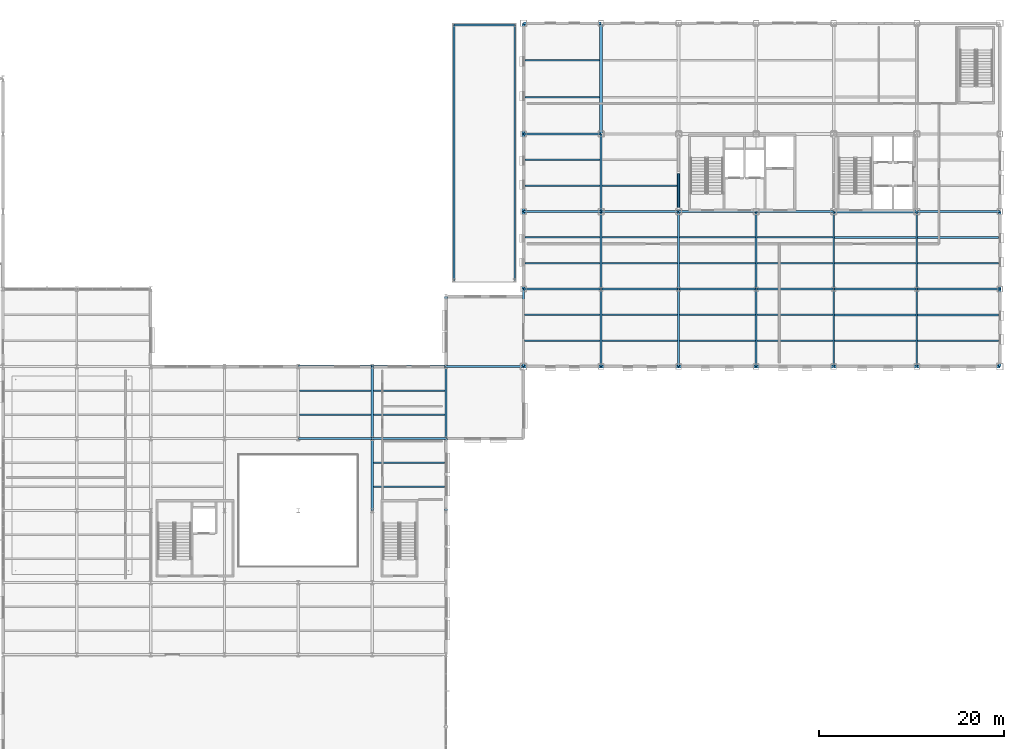
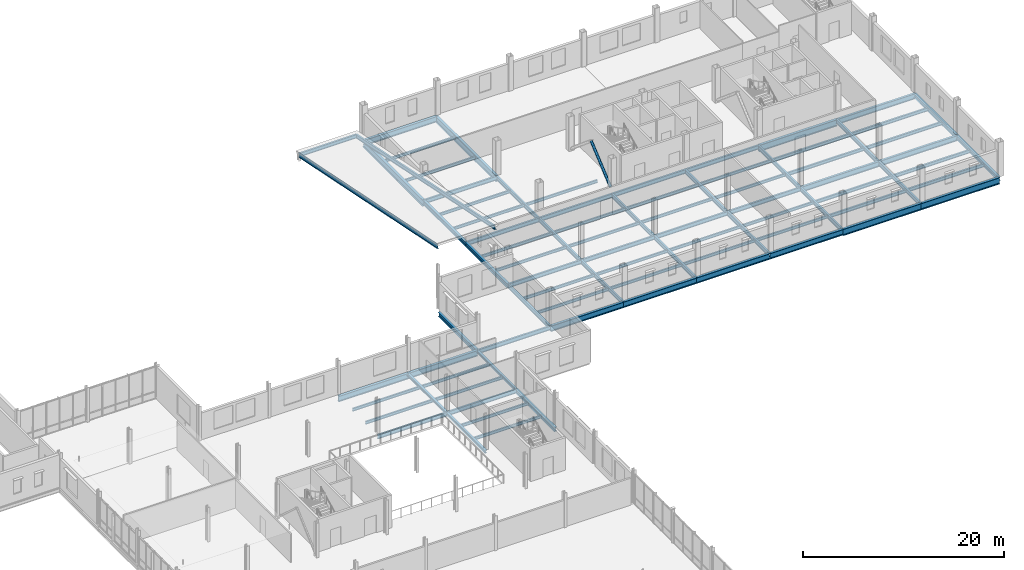
# One storey, part 37 of 75: 86 beams, 1 member.
"""IFC4 building model written with IfcOpenShell, lengths in metres."""

from ifc_helpers import new_model, si_unit, direction, frame, origin, origin_2d, place, context, subcontext, project, spatial, hollow_circle, i_section, extrude, material, material_profile, profile_set, type_object, element, save


model = new_model("IFC4")

# Units and contexts
model_context = context("Model", 3, precision=1e-05, world=origin(), true_north=direction((0.0, 1.0)))
body_context = subcontext(model_context, "Body", "Model", "MODEL_VIEW")
ifc_project = project(units=[si_unit("LENGTHUNIT", "METRE"), si_unit("AREAUNIT", "SQUARE_METRE"), si_unit("VOLUMEUNIT", "CUBIC_METRE"), si_unit("PLANEANGLEUNIT", "RADIAN"), si_unit("MASSUNIT", "GRAM", prefix="KILO")], contexts=[model_context])

# Site, building, storey
site_placement = place(None, origin())
site = spatial("IfcSite", under=ifc_project, at=site_placement, CompositionType="ELEMENT")
building_placement = place(site_placement, origin())
building = spatial("IfcBuilding", under=site, at=building_placement, Name="Yukiwa Park Conservatory and Herbarium", CompositionType="ELEMENT")
storey_placement = place(building_placement, frame((0.0, 0.0, 4.800048828125)))
storey = spatial("IfcBuildingStorey", under=building, at=storey_placement, Name="L01", CompositionType="ELEMENT", Elevation=4.800048828125)

# Beams
ifc_material_1 = material(Name="Steel Q355D", Category="steel")
ifc_material_profile_1 = material_profile(ifc_material_1, i_section(OverallWidth=0.25, OverallDepth=0.340087890625, WebThickness=0.009033203125, FlangeThickness=0.013916015625, FilletRadius=0.02001953125, at=origin_2d()), Name="HM 340x250x9x14")
ifc_profile_set_1 = profile_set([ifc_material_profile_1], Name="Steel Q355D")
beam_type_1 = type_object("IfcBeamType", Name="BM-GRD-HM340", PredefinedType="BEAM", material=ifc_profile_set_1)
beam_1_placement = place(storey_placement, frame((100.0, 62.406005859375, -0.41015625), z_axis=(0.0, 1.0, 0.0), x_axis=(-1.0, 0.0, 0.0)))
element("IfcBeam", 1, at=beam_1_placement, inside=storey, type_object=beam_type_1, Name="L01 grid girder Y-145", PredefinedType="BEAM", context=body_context, shape_type="SweptSolid", body=[
    extrude(i_section(OverallWidth=0.25, OverallDepth=0.340087890625, WebThickness=0.009033203125, FlangeThickness=0.013916015625, FilletRadius=0.02001953125, at=origin_2d()), origin(), (0.0, 0.0, 1.0), 7.7880859375),
])
for number, where, z_axis, x_axis, name in (
    (2, (100.0, 70.2060546875, -0.41015625), (0.0, 1.0, 0.0), (-1.0, 0.0, 0.0), "L01 grid girder Y-146"),
    (3, (108.0, 70.2060546875, -0.41015625), (0.0, 1.0, 0.0), (-1.0, 0.0, 0.0), "L01 grid girder Y-154"),
):
    element("IfcBeam", number, at=place(storey_placement, frame(where, z_axis=z_axis, x_axis=x_axis)), inside=storey, type_object=beam_type_1, Name=name, PredefinedType="BEAM", context=body_context, shape_type="SweptSolid", body=[
        extrude(i_section(OverallWidth=0.25, OverallDepth=0.340087890625, WebThickness=0.009033203125, FlangeThickness=0.013916015625, FilletRadius=0.02001953125, at=origin_2d()), origin(), (0.0, 0.0, 1.0), 7.787841796875),
    ])
ifc_material_2 = material(Name="Steel Q355D", Category="steel")
ifc_material_profile_2 = material_profile(ifc_material_2, i_section(OverallWidth=0.199951171875, OverallDepth=0.449951171875, WebThickness=0.009033203125, FlangeThickness=0.013916015625, FilletRadius=0.01806640625, at=origin_2d()), Name="HN 450x200x9x14")
ifc_profile_set_2 = profile_set([ifc_material_profile_2], Name="Steel Q355D")
beam_type_2 = type_object("IfcBeamType", Name="BM-GRD-HN450-EXT", PredefinedType="BEAM", material=ifc_profile_set_2)
beam_2_placement = place(storey_placement, frame((108.85595703125, 115.0, 0.685546875), z_axis=(1.0, 0.0, 0.0), x_axis=(0.0, 1.0, 0.0)))
element("IfcBeam", 4, at=beam_2_placement, inside=storey, type_object=beam_type_2, Name="Service ramp canopy north eave beam", PredefinedType="BEAM", context=body_context, shape_type="SweptSolid", body=[
    extrude(i_section(OverallWidth=0.199951171875, OverallDepth=0.449951171875, WebThickness=0.009033203125, FlangeThickness=0.013916015625, FilletRadius=0.01806640625, at=origin_2d()), origin(), (0.0, 0.0, 1.0), 6.588134765625),
])
for number, where, z_axis, x_axis, name in (
    (5, (108.85009765625, 87.35595703125, 6.31103515625), (0.0, 0.979907481507, -0.199452570018), (-1.0, 0.0, 0.0), "Service ramp canopy W rafter"),
    (6, (115.449951171875, 87.35595703125, 6.31103515625), (0.0, 0.979907481507, -0.199452570018), (-1.0, 0.0, 0.0), "Service ramp canopy E rafter"),
):
    element("IfcBeam", number, at=place(storey_placement, frame(where, z_axis=z_axis, x_axis=x_axis)), inside=storey, type_object=beam_type_2, Name=name, PredefinedType="BEAM", context=body_context, shape_type="SweptSolid", body=[
        extrude(i_section(OverallWidth=0.199951171875, OverallDepth=0.449951171875, WebThickness=0.009033203125, FlangeThickness=0.013916015625, FilletRadius=0.01806640625, at=origin_2d()), origin(), (0.0, 0.0, 1.0), 28.20458984375),
    ])
ifc_material_3 = material(Name="Steel Q355D", Category="steel")
ifc_material_profile_3 = material_profile(ifc_material_3, i_section(OverallWidth=0.199951171875, OverallDepth=0.5, WebThickness=0.010009765625, FlangeThickness=0.01611328125, FilletRadius=0.02001953125, at=origin_2d()), Name="HN 500x200x10x16")
ifc_profile_set_3 = profile_set([ifc_material_profile_3], Name="Steel Q355D")
beam_type_3 = type_object("IfcBeamType", Name="BM-GRD-HN500", PredefinedType="BEAM", material=ifc_profile_set_3)
for number, where, z_axis, x_axis, name in (
    (7, (92.006103515625, 70.199951171875, -0.489990234375), (1.0, 0.0, 0.0), (0.0, 1.0, 0.0), "L01 grid beam X-50"),
    (8, (100.006103515625, 70.199951171875, -0.489990234375), (1.0, 0.0, 0.0), (0.0, 1.0, 0.0), "L01 grid beam X-51"),
):
    element("IfcBeam", number, at=place(storey_placement, frame(where, z_axis=z_axis, x_axis=x_axis)), inside=storey, type_object=beam_type_3, Name=name, PredefinedType="BEAM", context=body_context, shape_type="SweptSolid", body=[
        extrude(i_section(OverallWidth=0.199951171875, OverallDepth=0.5, WebThickness=0.010009765625, FlangeThickness=0.01611328125, FilletRadius=0.02001953125, at=origin_2d()), origin(), (0.0, 0.0, 1.0), 7.98779296875),
    ])
for number, where, z_axis, x_axis, name in (
    (9, (108.006103515625, 78.0, -0.489990234375), (1.0, 0.0, 0.0), (0.0, 1.0, 0.0), "L01 grid beam X-64"),
    (10, (116.406005859375, 86.39990234375, -0.489990234375), (1.0, 0.0, 0.0), (0.0, 1.0, 0.0), "L01 grid beam X-73"),
):
    element("IfcBeam", number, at=place(storey_placement, frame(where, z_axis=z_axis, x_axis=x_axis)), inside=storey, type_object=beam_type_3, Name=name, PredefinedType="BEAM", context=body_context, shape_type="SweptSolid", body=[
        extrude(i_section(OverallWidth=0.199951171875, OverallDepth=0.5, WebThickness=0.010009765625, FlangeThickness=0.01611328125, FilletRadius=0.02001953125, at=origin_2d()), origin(), (0.0, 0.0, 1.0), 8.387939453125),
    ])
beam_3_placement = place(storey_placement, frame((124.805908203125, 86.39990234375, -0.489990234375), z_axis=(1.0, 0.0, 0.0), x_axis=(0.0, 1.0, 0.0)))
element("IfcBeam", 11, at=beam_3_placement, inside=storey, type_object=beam_type_3, Name="L01 grid beam X-74", PredefinedType="BEAM", context=body_context, shape_type="SweptSolid", body=[
    extrude(i_section(OverallWidth=0.199951171875, OverallDepth=0.5, WebThickness=0.010009765625, FlangeThickness=0.01611328125, FilletRadius=0.02001953125, at=origin_2d()), origin(), (0.0, 0.0, 1.0), 8.38818359375),
])
for number, where, z_axis, x_axis, name in (
    (12, (133.2060546875, 86.39990234375, -0.489990234375), (1.0, 0.0, 0.0), (0.0, 1.0, 0.0), "L01 grid beam X-75"),
    (13, (141.60595703125, 86.39990234375, -0.489990234375), (1.0, 0.0, 0.0), (0.0, 1.0, 0.0), "L01 grid beam X-76"),
    (14, (116.406005859375, 94.800048828125, -0.489990234375), (1.0, 0.0, 0.0), (0.0, 1.0, 0.0), "L01 grid beam X-79"),
):
    element("IfcBeam", number, at=place(storey_placement, frame(where, z_axis=z_axis, x_axis=x_axis)), inside=storey, type_object=beam_type_3, Name=name, PredefinedType="BEAM", context=body_context, shape_type="SweptSolid", body=[
        extrude(i_section(OverallWidth=0.199951171875, OverallDepth=0.5, WebThickness=0.010009765625, FlangeThickness=0.01611328125, FilletRadius=0.02001953125, at=origin_2d()), origin(), (0.0, 0.0, 1.0), 8.387939453125),
    ])
beam_4_placement = place(storey_placement, frame((124.805908203125, 94.800048828125, -0.489990234375), z_axis=(1.0, 0.0, 0.0), x_axis=(0.0, 1.0, 0.0)))
element("IfcBeam", 15, at=beam_4_placement, inside=storey, type_object=beam_type_3, Name="L01 grid beam X-80", PredefinedType="BEAM", context=body_context, shape_type="SweptSolid", body=[
    extrude(i_section(OverallWidth=0.199951171875, OverallDepth=0.5, WebThickness=0.010009765625, FlangeThickness=0.01611328125, FilletRadius=0.02001953125, at=origin_2d()), origin(), (0.0, 0.0, 1.0), 8.38818359375),
])
for number, where, z_axis, x_axis, name in (
    (16, (133.2060546875, 94.800048828125, -0.489990234375), (1.0, 0.0, 0.0), (0.0, 1.0, 0.0), "L01 grid beam X-81"),
    (17, (141.60595703125, 94.800048828125, -0.489990234375), (1.0, 0.0, 0.0), (0.0, 1.0, 0.0), "L01 grid beam X-82"),
    (18, (116.406005859375, 103.199951171875, -0.489990234375), (1.0, 0.0, 0.0), (0.0, 1.0, 0.0), "L01 grid beam X-85"),
    (19, (116.39990234375, 78.006103515625, -0.489990234375), (0.0, 1.0, 0.0), (-1.0, 0.0, 0.0), "L01 grid girder Y-156"),
    (20, (124.800048828125, 78.006103515625, -0.489990234375), (0.0, 1.0, 0.0), (-1.0, 0.0, 0.0), "L01 grid girder Y-160"),
    (21, (124.800048828125, 86.406005859375, -0.489990234375), (0.0, 1.0, 0.0), (-1.0, 0.0, 0.0), "L01 grid girder Y-161"),
):
    element("IfcBeam", number, at=place(storey_placement, frame(where, z_axis=z_axis, x_axis=x_axis)), inside=storey, type_object=beam_type_3, Name=name, PredefinedType="BEAM", context=body_context, shape_type="SweptSolid", body=[
        extrude(i_section(OverallWidth=0.199951171875, OverallDepth=0.5, WebThickness=0.010009765625, FlangeThickness=0.01611328125, FilletRadius=0.02001953125, at=origin_2d()), origin(), (0.0, 0.0, 1.0), 8.387939453125),
    ])
beam_5_placement = place(storey_placement, frame((124.800048828125, 94.805908203125, -0.489990234375), z_axis=(0.0, 1.0, 0.0), x_axis=(-1.0, 0.0, 0.0)))
element("IfcBeam", 22, at=beam_5_placement, inside=storey, type_object=beam_type_3, Name="L01 grid girder Y-162", PredefinedType="BEAM", context=body_context, shape_type="SweptSolid", body=[
    extrude(i_section(OverallWidth=0.199951171875, OverallDepth=0.5, WebThickness=0.010009765625, FlangeThickness=0.01611328125, FilletRadius=0.02001953125, at=origin_2d()), origin(), (0.0, 0.0, 1.0), 8.38818359375),
])
for number, where, z_axis, x_axis, name in (
    (23, (133.199951171875, 78.006103515625, -0.489990234375), (0.0, 1.0, 0.0), (-1.0, 0.0, 0.0), "L01 grid girder Y-164"),
    (24, (133.199951171875, 86.406005859375, -0.489990234375), (0.0, 1.0, 0.0), (-1.0, 0.0, 0.0), "L01 grid girder Y-165"),
    (25, (141.60009765625, 78.006103515625, -0.489990234375), (0.0, 1.0, 0.0), (-1.0, 0.0, 0.0), "L01 grid girder Y-168"),
    (26, (141.60009765625, 86.406005859375, -0.489990234375), (0.0, 1.0, 0.0), (-1.0, 0.0, 0.0), "L01 grid girder Y-169"),
    (27, (150.0, 78.006103515625, -0.489990234375), (0.0, 1.0, 0.0), (-1.0, 0.0, 0.0), "L01 grid girder Y-171"),
    (28, (150.0, 86.406005859375, -0.489990234375), (0.0, 1.0, 0.0), (-1.0, 0.0, 0.0), "L01 grid girder Y-172"),
    (29, (159.0, 78.006103515625, -0.489990234375), (0.0, 1.0, 0.0), (-1.0, 0.0, 0.0), "L01 grid girder Y-175"),
    (30, (159.0, 86.406005859375, -0.489990234375), (0.0, 1.0, 0.0), (-1.0, 0.0, 0.0), "L01 grid girder Y-176"),
):
    element("IfcBeam", number, at=place(storey_placement, frame(where, z_axis=z_axis, x_axis=x_axis)), inside=storey, type_object=beam_type_3, Name=name, PredefinedType="BEAM", context=body_context, shape_type="SweptSolid", body=[
        extrude(i_section(OverallWidth=0.199951171875, OverallDepth=0.5, WebThickness=0.010009765625, FlangeThickness=0.01611328125, FilletRadius=0.02001953125, at=origin_2d()), origin(), (0.0, 0.0, 1.0), 8.387939453125),
    ])
ifc_material_4 = material(Name="Steel Q355D", Category="steel")
ifc_material_profile_4 = material_profile(ifc_material_4, i_section(OverallWidth=0.25, OverallDepth=0.64990234375, WebThickness=0.011962890625, FlangeThickness=0.02001953125, FilletRadius=0.02392578125, at=origin_2d()), Name="HN 650x250x12x20")
ifc_profile_set_4 = profile_set([ifc_material_profile_4], Name="Steel Q355D")
beam_type_4 = type_object("IfcBeamType", Name="BM-GRD-HN650", PredefinedType="BEAM", material=ifc_profile_set_4)
for number, where, z_axis, x_axis, name in (
    (31, (150.006103515625, 86.39990234375, -0.56494140625), (1.0, 0.0, 0.0), (0.0, 1.0, 0.0), "L01 grid beam X-77"),
    (32, (159.006103515625, 86.39990234375, -0.56494140625), (1.0, 0.0, 0.0), (0.0, 1.0, 0.0), "L01 grid beam X-78"),
    (33, (159.006103515625, 94.800048828125, -0.56494140625), (1.0, 0.0, 0.0), (0.0, 1.0, 0.0), "L01 grid beam X-84"),
):
    element("IfcBeam", number, at=place(storey_placement, frame(where, z_axis=z_axis, x_axis=x_axis)), inside=storey, type_object=beam_type_4, Name=name, PredefinedType="BEAM", context=body_context, shape_type="SweptSolid", body=[
        extrude(i_section(OverallWidth=0.25, OverallDepth=0.64990234375, WebThickness=0.011962890625, FlangeThickness=0.02001953125, FilletRadius=0.02392578125, at=origin_2d()), origin(), (0.0, 0.0, 1.0), 8.98779296875),
    ])
ifc_material_5 = material(Name="Steel Q355D", Category="steel")
ifc_material_profile_5 = material_profile(ifc_material_5, i_section(OverallWidth=0.300048828125, OverallDepth=0.75, WebThickness=0.012939453125, FlangeThickness=0.02392578125, FilletRadius=0.028076171875, at=origin_2d()), Name="HN 750x300x13x24")
ifc_profile_set_5 = profile_set([ifc_material_profile_5], Name="Steel Q355D")
beam_type_5 = type_object("IfcBeamType", Name="BM-GRD-HN750", PredefinedType="BEAM", material=ifc_profile_set_5)
beam_6_placement = place(storey_placement, frame((124.800048828125, 103.2060546875, -0.614990234375), z_axis=(0.0, 1.0, 0.0), x_axis=(-1.0, 0.0, 0.0)))
element("IfcBeam", 34, at=beam_6_placement, inside=storey, type_object=beam_type_5, Name="L01 grid girder Y-163", PredefinedType="BEAM", context=body_context, shape_type="SweptSolid", body=[
    extrude(i_section(OverallWidth=0.300048828125, OverallDepth=0.75, WebThickness=0.012939453125, FlangeThickness=0.02392578125, FilletRadius=0.028076171875, at=origin_2d()), origin(), (0.0, 0.0, 1.0), 11.988037109375),
])
ifc_material_6 = material(Name="Steel Q355D", Category="steel")
ifc_material_profile_6 = material_profile(ifc_material_6, i_section(OverallWidth=0.175048828125, OverallDepth=0.35009765625, WebThickness=0.007080078125, FlangeThickness=0.010986328125, FilletRadius=0.013916015625, at=origin_2d()), Name="HN 350x175x7x11")
ifc_profile_set_6 = profile_set([ifc_material_profile_6], Name="Steel Q355D")
beam_type_6 = type_object("IfcBeamType", Name="BM-JST-HN350", PredefinedType="JOIST", material=ifc_profile_set_6)
for number, where, z_axis, x_axis, name in (
    (35, (92.12109375, 72.800048828125, -0.4150390625), (1.0, 0.0, 0.0), (0.0, 1.0, 0.0), "L01 composite floor joist 39"),
    (36, (92.12109375, 75.39990234375, -0.4150390625), (1.0, 0.0, 0.0), (0.0, 1.0, 0.0), "L01 composite floor joist 40"),
):
    element("IfcBeam", number, at=place(storey_placement, frame(where, z_axis=z_axis, x_axis=x_axis)), inside=storey, type_object=beam_type_6, Name=name, PredefinedType="JOIST", context=body_context, shape_type="SweptSolid", body=[
        extrude(i_section(OverallWidth=0.175048828125, OverallDepth=0.35009765625, WebThickness=0.007080078125, FlangeThickness=0.010986328125, FilletRadius=0.013916015625, at=origin_2d()), origin(), (0.0, 0.0, 1.0), 7.7578125),
    ])
for number, where, z_axis, x_axis, name in (
    (37, (100.12109375, 65.0, -0.4150390625), (1.0, 0.0, 0.0), (0.0, 1.0, 0.0), "L01 composite floor joist 43"),
    (38, (100.12109375, 67.60009765625, -0.4150390625), (1.0, 0.0, 0.0), (0.0, 1.0, 0.0), "L01 composite floor joist 44"),
):
    element("IfcBeam", number, at=place(storey_placement, frame(where, z_axis=z_axis, x_axis=x_axis)), inside=storey, type_object=beam_type_6, Name=name, PredefinedType="JOIST", context=body_context, shape_type="SweptSolid", body=[
        extrude(i_section(OverallWidth=0.175048828125, OverallDepth=0.35009765625, WebThickness=0.007080078125, FlangeThickness=0.010986328125, FilletRadius=0.013916015625, at=origin_2d()), origin(), (0.0, 0.0, 1.0), 7.73291015625),
    ])
for number, where, z_axis, x_axis, name in (
    (39, (100.12109375, 72.800048828125, -0.4150390625), (1.0, 0.0, 0.0), (0.0, 1.0, 0.0), "L01 composite floor joist 45"),
    (40, (100.12109375, 75.39990234375, -0.4150390625), (1.0, 0.0, 0.0), (0.0, 1.0, 0.0), "L01 composite floor joist 46"),
):
    element("IfcBeam", number, at=place(storey_placement, frame(where, z_axis=z_axis, x_axis=x_axis)), inside=storey, type_object=beam_type_6, Name=name, PredefinedType="JOIST", context=body_context, shape_type="SweptSolid", body=[
        extrude(i_section(OverallWidth=0.175048828125, OverallDepth=0.35009765625, WebThickness=0.007080078125, FlangeThickness=0.010986328125, FilletRadius=0.013916015625, at=origin_2d()), origin(), (0.0, 0.0, 1.0), 7.7578125),
    ])
for number, where, z_axis, x_axis, name in (
    (41, (116.49609375, 80.800048828125, -0.4150390625), (1.0, 0.0, 0.0), (0.0, 1.0, 0.0), "L01 composite floor joist 47"),
    (42, (116.49609375, 83.60009765625, -0.4150390625), (1.0, 0.0, 0.0), (0.0, 1.0, 0.0), "L01 composite floor joist 48"),
):
    element("IfcBeam", number, at=place(storey_placement, frame(where, z_axis=z_axis, x_axis=x_axis)), inside=storey, type_object=beam_type_6, Name=name, PredefinedType="JOIST", context=body_context, shape_type="SweptSolid", body=[
        extrude(i_section(OverallWidth=0.175048828125, OverallDepth=0.35009765625, WebThickness=0.007080078125, FlangeThickness=0.010986328125, FilletRadius=0.013916015625, at=origin_2d()), origin(), (0.0, 0.0, 1.0), 8.2080078125),
    ])
for number, where, z_axis, x_axis, name in (
    (43, (116.5458984375, 89.199951171875, -0.4150390625), (1.0, 0.0, 0.0), (0.0, 1.0, 0.0), "L01 composite floor joist 49"),
    (44, (116.5458984375, 92.0, -0.4150390625), (1.0, 0.0, 0.0), (0.0, 1.0, 0.0), "L01 composite floor joist 50"),
    (45, (116.5458984375, 97.60009765625, -0.4150390625), (1.0, 0.0, 0.0), (0.0, 1.0, 0.0), "L01 composite floor joist 51"),
    (46, (116.5458984375, 100.39990234375, -0.4150390625), (1.0, 0.0, 0.0), (0.0, 1.0, 0.0), "L01 composite floor joist 52"),
):
    element("IfcBeam", number, at=place(storey_placement, frame(where, z_axis=z_axis, x_axis=x_axis)), inside=storey, type_object=beam_type_6, Name=name, PredefinedType="JOIST", context=body_context, shape_type="SweptSolid", body=[
        extrude(i_section(OverallWidth=0.175048828125, OverallDepth=0.35009765625, WebThickness=0.007080078125, FlangeThickness=0.010986328125, FilletRadius=0.013916015625, at=origin_2d()), origin(), (0.0, 0.0, 1.0), 8.158203125),
    ])
for number, where, z_axis, x_axis, name in (
    (47, (116.5458984375, 107.199951171875, -0.4150390625), (1.0, 0.0, 0.0), (0.0, 1.0, 0.0), "L01 composite floor joist 53"),
    (48, (116.5458984375, 111.199951171875, -0.4150390625), (1.0, 0.0, 0.0), (0.0, 1.0, 0.0), "L01 composite floor joist 54"),
):
    element("IfcBeam", number, at=place(storey_placement, frame(where, z_axis=z_axis, x_axis=x_axis)), inside=storey, type_object=beam_type_6, Name=name, PredefinedType="JOIST", context=body_context, shape_type="SweptSolid", body=[
        extrude(i_section(OverallWidth=0.175048828125, OverallDepth=0.35009765625, WebThickness=0.007080078125, FlangeThickness=0.010986328125, FilletRadius=0.013916015625, at=origin_2d()), origin(), (0.0, 0.0, 1.0), 8.108154296875),
    ])
for number, where, z_axis, x_axis, name in (
    (49, (124.89599609375, 80.800048828125, -0.4150390625), (1.0, 0.0, 0.0), (0.0, 1.0, 0.0), "L01 composite floor joist 55"),
    (50, (124.89599609375, 83.60009765625, -0.4150390625), (1.0, 0.0, 0.0), (0.0, 1.0, 0.0), "L01 composite floor joist 56"),
    (51, (124.89599609375, 89.199951171875, -0.4150390625), (1.0, 0.0, 0.0), (0.0, 1.0, 0.0), "L01 composite floor joist 57"),
    (52, (124.89599609375, 92.0, -0.4150390625), (1.0, 0.0, 0.0), (0.0, 1.0, 0.0), "L01 composite floor joist 58"),
    (53, (124.89599609375, 97.60009765625, -0.4150390625), (1.0, 0.0, 0.0), (0.0, 1.0, 0.0), "L01 composite floor joist 59"),
    (54, (133.2958984375, 80.800048828125, -0.4150390625), (1.0, 0.0, 0.0), (0.0, 1.0, 0.0), "L01 composite floor joist 63"),
    (55, (133.2958984375, 83.60009765625, -0.4150390625), (1.0, 0.0, 0.0), (0.0, 1.0, 0.0), "L01 composite floor joist 64"),
    (56, (133.2958984375, 89.199951171875, -0.4150390625), (1.0, 0.0, 0.0), (0.0, 1.0, 0.0), "L01 composite floor joist 65"),
    (57, (133.2958984375, 92.0, -0.4150390625), (1.0, 0.0, 0.0), (0.0, 1.0, 0.0), "L01 composite floor joist 66"),
    (58, (141.696044921875, 80.800048828125, -0.4150390625), (1.0, 0.0, 0.0), (0.0, 1.0, 0.0), "L01 composite floor joist 69"),
    (59, (141.696044921875, 83.60009765625, -0.4150390625), (1.0, 0.0, 0.0), (0.0, 1.0, 0.0), "L01 composite floor joist 70"),
    (60, (141.696044921875, 89.199951171875, -0.4150390625), (1.0, 0.0, 0.0), (0.0, 1.0, 0.0), "L01 composite floor joist 71"),
    (61, (141.696044921875, 92.0, -0.4150390625), (1.0, 0.0, 0.0), (0.0, 1.0, 0.0), "L01 composite floor joist 72"),
):
    element("IfcBeam", number, at=place(storey_placement, frame(where, z_axis=z_axis, x_axis=x_axis)), inside=storey, type_object=beam_type_6, Name=name, PredefinedType="JOIST", context=body_context, shape_type="SweptSolid", body=[
        extrude(i_section(OverallWidth=0.175048828125, OverallDepth=0.35009765625, WebThickness=0.007080078125, FlangeThickness=0.010986328125, FilletRadius=0.013916015625, at=origin_2d()), origin(), (0.0, 0.0, 1.0), 8.2080078125),
    ])
ifc_material_7 = material(Name="Steel Q355D", Category="steel")
ifc_material_profile_7 = material_profile(ifc_material_7, i_section(OverallWidth=0.199951171875, OverallDepth=0.39990234375, WebThickness=0.008056640625, FlangeThickness=0.012939453125, FilletRadius=0.01611328125, at=origin_2d()), Name="HN 400x200x8x13")
ifc_profile_set_7 = profile_set([ifc_material_profile_7], Name="Steel Q355D")
beam_type_7 = type_object("IfcBeamType", Name="BM-JST-HN400", PredefinedType="JOIST", material=ifc_profile_set_7)
for number, where, z_axis, x_axis, name in (
    (62, (150.095947265625, 80.800048828125, -0.43994140625), (1.0, 0.0, 0.0), (0.0, 1.0, 0.0), "L01 composite floor joist 75"),
    (63, (150.095947265625, 83.60009765625, -0.43994140625), (1.0, 0.0, 0.0), (0.0, 1.0, 0.0), "L01 composite floor joist 76"),
    (64, (150.095947265625, 89.199951171875, -0.43994140625), (1.0, 0.0, 0.0), (0.0, 1.0, 0.0), "L01 composite floor joist 77"),
    (65, (150.095947265625, 92.0, -0.43994140625), (1.0, 0.0, 0.0), (0.0, 1.0, 0.0), "L01 composite floor joist 78"),
):
    element("IfcBeam", number, at=place(storey_placement, frame(where, z_axis=z_axis, x_axis=x_axis)), inside=storey, type_object=beam_type_7, Name=name, PredefinedType="JOIST", context=body_context, shape_type="SweptSolid", body=[
        extrude(i_section(OverallWidth=0.199951171875, OverallDepth=0.39990234375, WebThickness=0.008056640625, FlangeThickness=0.012939453125, FilletRadius=0.01611328125, at=origin_2d()), origin(), (0.0, 0.0, 1.0), 8.80810546875),
    ])
for number, where, z_axis, x_axis, name in (
    (66, (159.095947265625, 80.800048828125, -0.43994140625), (1.0, 0.0, 0.0), (0.0, 1.0, 0.0), "L01 composite floor joist 81"),
    (67, (159.095947265625, 83.60009765625, -0.43994140625), (1.0, 0.0, 0.0), (0.0, 1.0, 0.0), "L01 composite floor joist 82"),
    (68, (159.095947265625, 89.199951171875, -0.43994140625), (1.0, 0.0, 0.0), (0.0, 1.0, 0.0), "L01 composite floor joist 83"),
    (69, (159.095947265625, 92.0, -0.43994140625), (1.0, 0.0, 0.0), (0.0, 1.0, 0.0), "L01 composite floor joist 84"),
):
    element("IfcBeam", number, at=place(storey_placement, frame(where, z_axis=z_axis, x_axis=x_axis)), inside=storey, type_object=beam_type_7, Name=name, PredefinedType="JOIST", context=body_context, shape_type="SweptSolid", body=[
        extrude(i_section(OverallWidth=0.199951171875, OverallDepth=0.39990234375, WebThickness=0.008056640625, FlangeThickness=0.012939453125, FilletRadius=0.01611328125, at=origin_2d()), origin(), (0.0, 0.0, 1.0), 8.758056640625),
    ])
ifc_material_8 = material(Name="Steel Q355D", Category="steel")
ifc_material_profile_8 = material_profile(ifc_material_8, i_section(OverallWidth=0.300048828125, OverallDepth=0.493896484375, WebThickness=0.010986328125, FlangeThickness=0.014892578125, FilletRadius=0.02392578125, at=origin_2d()), Name="HM 494x300x11x15")
ifc_profile_set_8 = profile_set([ifc_material_profile_8], Name="Steel Q355D")
beam_type_8 = type_object("IfcBeamType", Name="BM-SPN-HN450", PredefinedType="SPANDREL", material=ifc_profile_set_8)
beam_7_placement = place(storey_placement, frame((108.0, 62.406005859375, -0.487060546875), z_axis=(0.0, 1.0, 0.0), x_axis=(-1.0, 0.0, 0.0)))
element("IfcBeam", 70, at=beam_7_placement, inside=storey, type_object=beam_type_8, Name="L01 spandrel girder Y-153", PredefinedType="SPANDREL", context=body_context, shape_type="SweptSolid", body=[
    extrude(i_section(OverallWidth=0.300048828125, OverallDepth=0.493896484375, WebThickness=0.010986328125, FlangeThickness=0.014892578125, FilletRadius=0.02392578125, at=origin_2d()), origin(), (0.0, 0.0, 1.0), 7.7880859375),
])
beam_8_placement = place(storey_placement, frame((108.0, 78.006103515625, -0.487060546875), z_axis=(0.0, 1.0, 0.0), x_axis=(-1.0, 0.0, 0.0)))
element("IfcBeam", 71, at=beam_8_placement, inside=storey, type_object=beam_type_8, Name="L01 spandrel girder Y-155", PredefinedType="SPANDREL", context=body_context, shape_type="SweptSolid", body=[
    extrude(i_section(OverallWidth=0.300048828125, OverallDepth=0.493896484375, WebThickness=0.010986328125, FlangeThickness=0.014892578125, FilletRadius=0.02392578125, at=origin_2d()), origin(), (0.0, 0.0, 1.0), 7.587890625),
])
ifc_material_9 = material(Name="Steel Q355D", Category="steel")
ifc_material_profile_9 = material_profile(ifc_material_9, i_section(OverallWidth=0.300048828125, OverallDepth=0.5, WebThickness=0.010986328125, FlangeThickness=0.01806640625, FilletRadius=0.02392578125, at=origin_2d()), Name="HM 500x300x11x18")
ifc_profile_set_9 = profile_set([ifc_material_profile_9], Name="Steel Q355D")
beam_type_9 = type_object("IfcBeamType", Name="BM-SPN-HN500", PredefinedType="SPANDREL", material=ifc_profile_set_9)
beam_9_placement = place(storey_placement, frame((116.39990234375, 86.406005859375, -0.489990234375), z_axis=(0.0, 1.0, 0.0), x_axis=(-1.0, 0.0, 0.0)))
element("IfcBeam", 72, at=beam_9_placement, inside=storey, type_object=beam_type_9, Name="L01 spandrel girder Y-157", PredefinedType="SPANDREL", context=body_context, shape_type="SweptSolid", body=[
    extrude(i_section(OverallWidth=0.300048828125, OverallDepth=0.5, WebThickness=0.010986328125, FlangeThickness=0.01806640625, FilletRadius=0.02392578125, at=origin_2d()), origin(), (0.0, 0.0, 1.0), 8.387939453125),
])
beam_10_placement = place(storey_placement, frame((116.39990234375, 94.805908203125, -0.489990234375), z_axis=(0.0, 1.0, 0.0), x_axis=(-1.0, 0.0, 0.0)))
element("IfcBeam", 73, at=beam_10_placement, inside=storey, type_object=beam_type_9, Name="L01 spandrel girder Y-158", PredefinedType="SPANDREL", context=body_context, shape_type="SweptSolid", body=[
    extrude(i_section(OverallWidth=0.300048828125, OverallDepth=0.5, WebThickness=0.010986328125, FlangeThickness=0.01806640625, FilletRadius=0.02392578125, at=origin_2d()), origin(), (0.0, 0.0, 1.0), 8.38818359375),
])
for number, where, z_axis, x_axis, name in (
    (74, (168.0, 78.006103515625, -0.489990234375), (0.0, 1.0, 0.0), (-1.0, 0.0, 0.0), "L01 spandrel girder Y-179"),
    (75, (168.0, 86.406005859375, -0.489990234375), (0.0, 1.0, 0.0), (-1.0, 0.0, 0.0), "L01 spandrel girder Y-180"),
):
    element("IfcBeam", number, at=place(storey_placement, frame(where, z_axis=z_axis, x_axis=x_axis)), inside=storey, type_object=beam_type_9, Name=name, PredefinedType="SPANDREL", context=body_context, shape_type="SweptSolid", body=[
        extrude(i_section(OverallWidth=0.300048828125, OverallDepth=0.5, WebThickness=0.010986328125, FlangeThickness=0.01806640625, FilletRadius=0.02392578125, at=origin_2d()), origin(), (0.0, 0.0, 1.0), 8.387939453125),
    ])
ifc_material_10 = material(Name="Steel Q355D", Category="steel")
ifc_material_profile_10 = material_profile(ifc_material_10, i_section(OverallWidth=0.300048828125, OverallDepth=0.69189453125, WebThickness=0.012939453125, FlangeThickness=0.02001953125, FilletRadius=0.028076171875, at=origin_2d()), Name="HN 692x300x13x20")
ifc_profile_set_10 = profile_set([ifc_material_profile_10], Name="Steel Q355D")
beam_type_10 = type_object("IfcBeamType", Name="BM-SPN-HN550", PredefinedType="SPANDREL", material=ifc_profile_set_10)
for number, where, z_axis, x_axis, name in (
    (76, (92.006103515625, 78.0, -0.5859375), (1.0, 0.0, 0.0), (0.0, 1.0, 0.0), "L01 spandrel beam X-62"),
    (77, (100.006103515625, 78.0, -0.5859375), (1.0, 0.0, 0.0), (0.0, 1.0, 0.0), "L01 spandrel beam X-63"),
):
    element("IfcBeam", number, at=place(storey_placement, frame(where, z_axis=z_axis, x_axis=x_axis)), inside=storey, type_object=beam_type_10, Name=name, PredefinedType="SPANDREL", context=body_context, shape_type="SweptSolid", body=[
        extrude(i_section(OverallWidth=0.300048828125, OverallDepth=0.69189453125, WebThickness=0.012939453125, FlangeThickness=0.02001953125, FilletRadius=0.028076171875, at=origin_2d()), origin(), (0.0, 0.0, 1.0), 7.98779296875),
    ])
beam_11_placement = place(storey_placement, frame((116.406005859375, 78.0, -0.5859375), z_axis=(1.0, 0.0, 0.0), x_axis=(0.0, 1.0, 0.0)))
element("IfcBeam", 78, at=beam_11_placement, inside=storey, type_object=beam_type_10, Name="L01 spandrel beam X-65", PredefinedType="SPANDREL", context=body_context, shape_type="SweptSolid", body=[
    extrude(i_section(OverallWidth=0.300048828125, OverallDepth=0.69189453125, WebThickness=0.012939453125, FlangeThickness=0.02001953125, FilletRadius=0.028076171875, at=origin_2d()), origin(), (0.0, 0.0, 1.0), 8.387939453125),
])
beam_12_placement = place(storey_placement, frame((124.805908203125, 78.0, -0.5859375), z_axis=(1.0, 0.0, 0.0), x_axis=(0.0, 1.0, 0.0)))
element("IfcBeam", 79, at=beam_12_placement, inside=storey, type_object=beam_type_10, Name="L01 spandrel beam X-66", PredefinedType="SPANDREL", context=body_context, shape_type="SweptSolid", body=[
    extrude(i_section(OverallWidth=0.300048828125, OverallDepth=0.69189453125, WebThickness=0.012939453125, FlangeThickness=0.02001953125, FilletRadius=0.028076171875, at=origin_2d()), origin(), (0.0, 0.0, 1.0), 8.38818359375),
])
for number, where, z_axis, x_axis, name in (
    (80, (133.2060546875, 78.0, -0.5859375), (1.0, 0.0, 0.0), (0.0, 1.0, 0.0), "L01 spandrel beam X-67"),
    (81, (141.60595703125, 78.0, -0.5859375), (1.0, 0.0, 0.0), (0.0, 1.0, 0.0), "L01 spandrel beam X-68"),
    (82, (116.406005859375, 115.199951171875, -0.5859375), (1.0, 0.0, 0.0), (0.0, 1.0, 0.0), "L01 spandrel beam X-97"),
):
    element("IfcBeam", number, at=place(storey_placement, frame(where, z_axis=z_axis, x_axis=x_axis)), inside=storey, type_object=beam_type_10, Name=name, PredefinedType="SPANDREL", context=body_context, shape_type="SweptSolid", body=[
        extrude(i_section(OverallWidth=0.300048828125, OverallDepth=0.69189453125, WebThickness=0.012939453125, FlangeThickness=0.02001953125, FilletRadius=0.028076171875, at=origin_2d()), origin(), (0.0, 0.0, 1.0), 8.387939453125),
    ])
ifc_material_11 = material(Name="Steel Q355D", Category="steel")
ifc_material_profile_11 = material_profile(ifc_material_11, i_section(OverallWidth=0.300048828125, OverallDepth=0.7919921875, WebThickness=0.013916015625, FlangeThickness=0.02197265625, FilletRadius=0.028076171875, at=origin_2d()), Name="HN 792x300x14x22")
ifc_profile_set_11 = profile_set([ifc_material_profile_11], Name="Steel Q355D")
beam_type_11 = type_object("IfcBeamType", Name="BM-SPN-HN600", PredefinedType="SPANDREL", material=ifc_profile_set_11)
for number, where, z_axis, x_axis, name in (
    (83, (150.006103515625, 78.0, -0.635986328125), (1.0, 0.0, 0.0), (0.0, 1.0, 0.0), "L01 spandrel beam X-69"),
    (84, (159.006103515625, 78.0, -0.635986328125), (1.0, 0.0, 0.0), (0.0, 1.0, 0.0), "L01 spandrel beam X-70"),
    (85, (150.006103515625, 94.800048828125, -0.635986328125), (1.0, 0.0, 0.0), (0.0, 1.0, 0.0), "L01 spandrel beam X-83"),
):
    element("IfcBeam", number, at=place(storey_placement, frame(where, z_axis=z_axis, x_axis=x_axis)), inside=storey, type_object=beam_type_11, Name=name, PredefinedType="SPANDREL", context=body_context, shape_type="SweptSolid", body=[
        extrude(i_section(OverallWidth=0.300048828125, OverallDepth=0.7919921875, WebThickness=0.013916015625, FlangeThickness=0.02197265625, FilletRadius=0.028076171875, at=origin_2d()), origin(), (0.0, 0.0, 1.0), 8.98779296875),
    ])
beam_13_placement = place(storey_placement, frame((116.39990234375, 103.2060546875, -0.635986328125), z_axis=(0.0, 1.0, 0.0), x_axis=(-1.0, 0.0, 0.0)))
element("IfcBeam", 86, at=beam_13_placement, inside=storey, type_object=beam_type_11, Name="L01 spandrel girder Y-159", PredefinedType="SPANDREL", context=body_context, shape_type="SweptSolid", body=[
    extrude(i_section(OverallWidth=0.300048828125, OverallDepth=0.7919921875, WebThickness=0.013916015625, FlangeThickness=0.02197265625, FilletRadius=0.028076171875, at=origin_2d()), origin(), (0.0, 0.0, 1.0), 11.988037109375),
])

# Member
ifc_material_12 = material(Name="Steel Q355D", Category="steel")
ifc_material_profile_12 = material_profile(ifc_material_12, hollow_circle(Radius=0.149169921875, WallThickness=0.011962890625, at=origin_2d()), Name="CHS 298.5x12")
ifc_profile_set_12 = profile_set([ifc_material_profile_12], Name="Steel Q355D")
member_type = type_object("IfcMemberType", Name="MB-BR-CHS298", PredefinedType="BRACE", material=ifc_profile_set_12)
member_placement = place(storey_placement, frame((133.199951171875, 95.12353515625, 0.321533203125), z_axis=(0.0, 0.765503478343, 0.643431756012), x_axis=(-1.0, 0.0, 0.0)))
element("IfcMember", 87, at=member_placement, inside=storey, type_object=member_type, Name="L01 concentric chevron brace 9", PredefinedType="BRACE", context=body_context, shape_type="SweptSolid", body=[
    extrude(hollow_circle(Radius=0.149169921875, WallThickness=0.011962890625, at=origin_2d()), origin(), (0.0, 0.0, 1.0), 5.06396484375),
])

save(model, "model.ifc")
